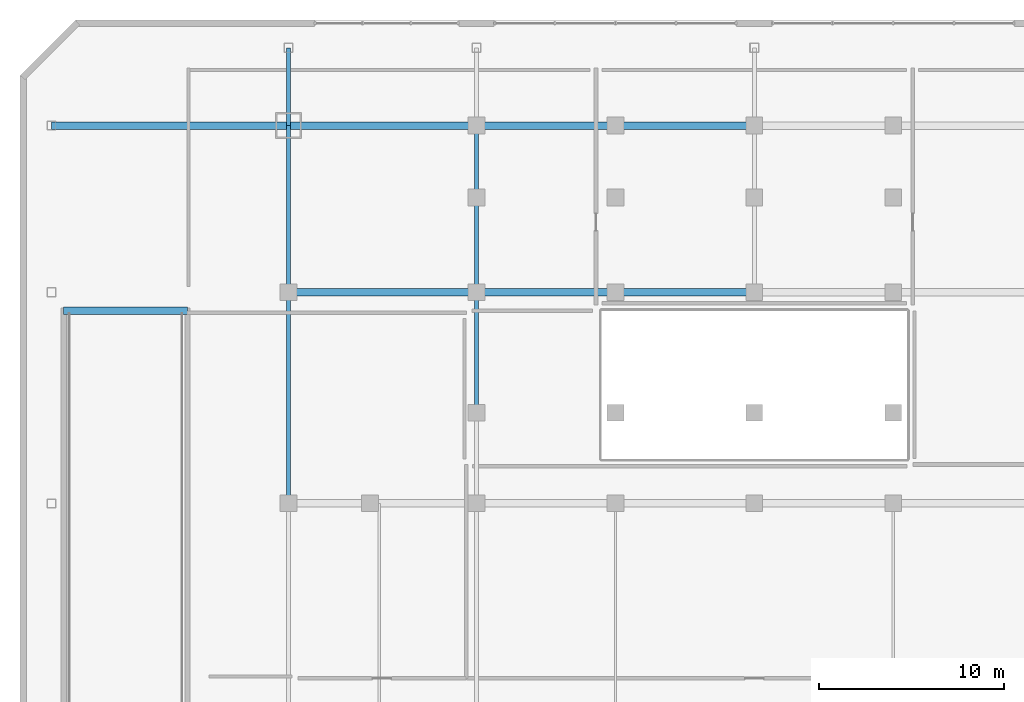
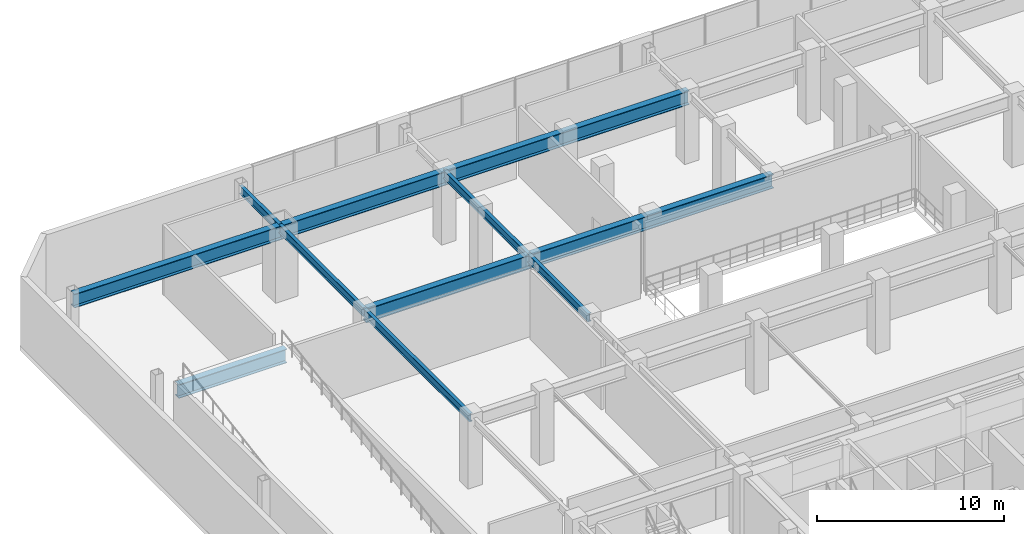
# One storey, part 3 of 16: 11 beams.
"""IFC4 building model written with IfcOpenShell, lengths in metres."""

from ifc_helpers import new_model, si_unit, direction, frame, origin, origin_2d, place, context, subcontext, project, spatial, i_section, extrude, material, material_profile, profile_set, type_object, element, save


model = new_model("IFC4")

# Units and contexts
model_context = context("Model", 3, precision=1e-05, world=origin(), true_north=direction((0.0, 1.0)))
body_context = subcontext(model_context, "Body", "Model", "MODEL_VIEW")
ifc_project = project(units=[si_unit("LENGTHUNIT", "METRE"), si_unit("AREAUNIT", "SQUARE_METRE"), si_unit("VOLUMEUNIT", "CUBIC_METRE"), si_unit("PLANEANGLEUNIT", "RADIAN"), si_unit("MASSUNIT", "GRAM", prefix="KILO")], contexts=[model_context])

# Site, building, storey
site_placement = place(None, origin())
site = spatial("IfcSite", under=ifc_project, at=site_placement, CompositionType="ELEMENT")
building_placement = place(site_placement, origin())
building = spatial("IfcBuilding", under=site, at=building_placement, Name="Ventersveld Concourse Tower", CompositionType="ELEMENT")
storey_placement = place(building_placement, frame((0.0, 0.0, 10.199951171875)))
storey = spatial("IfcBuildingStorey", under=building, at=storey_placement, Name="L02", CompositionType="ELEMENT", Elevation=10.199951171875)

# Beams
ifc_material = material(Name="Structural steel S355J2", Category="steel")
ifc_material_profile_1 = material_profile(ifc_material, i_section(OverallWidth=0.39990234375, OverallDepth=0.89990234375, WebThickness=0.02197265625, FlangeThickness=0.035888671875, at=origin_2d()), Name="PG 900x400x36")
ifc_profile_set_1 = profile_set([ifc_material_profile_1], Name="Structural steel S355J2")
beam_type_1 = type_object("IfcBeamType", Name="GRD-PG900", PredefinedType="USERDEFINED", material=ifc_profile_set_1)
beam_1_placement = place(storey_placement, frame((3.60009765625, 35.0, 4.070068359375), z_axis=(1.0, 0.0, 0.0), x_axis=(0.0, 1.0, 0.0)))
element("IfcBeam", 1, at=beam_1_placement, inside=storey, type_object=beam_type_1, Name="L02 Podium Primary Girder Y=35.0m", ObjectType="GIRDER", PredefinedType="USERDEFINED", context=body_context, shape_type="SweptSolid", body=[
    extrude(i_section(OverallWidth=0.39990234375, OverallDepth=0.89990234375, WebThickness=0.02197265625, FlangeThickness=0.035888671875, at=origin_2d()), origin(), (0.0, 0.0, 1.0), 10.14990234375),
])
beam_2_placement = place(storey_placement, frame((13.75, 35.0, 4.070068359375), z_axis=(1.0, 0.0, 0.0), x_axis=(0.0, 1.0, 0.0)))
element("IfcBeam", 2, at=beam_2_placement, inside=storey, type_object=beam_type_1, Name="L02 Podium Primary Girder Y=35.0m", ObjectType="GIRDER", PredefinedType="USERDEFINED", context=body_context, shape_type="SweptSolid", body=[
    extrude(i_section(OverallWidth=0.39990234375, OverallDepth=0.89990234375, WebThickness=0.02197265625, FlangeThickness=0.035888671875, at=origin_2d()), origin(), (0.0, 0.0, 1.0), 15.0),
])
beam_3_placement = place(storey_placement, frame((-9.199951171875, 44.0, 4.070068359375), z_axis=(1.0, 0.0, 0.0), x_axis=(0.0, 1.0, 0.0)))
element("IfcBeam", 3, at=beam_3_placement, inside=storey, type_object=beam_type_1, Name="L02 Podium Primary Girder Y=44.0m", ObjectType="GIRDER", PredefinedType="USERDEFINED", context=body_context, shape_type="SweptSolid", body=[
    extrude(i_section(OverallWidth=0.39990234375, OverallDepth=0.89990234375, WebThickness=0.02197265625, FlangeThickness=0.035888671875, at=origin_2d()), origin(), (0.0, 0.0, 1.0), 12.800048828125),
])
beam_4_placement = place(storey_placement, frame((3.60009765625, 44.0, 4.070068359375), z_axis=(1.0, 0.0, 0.0), x_axis=(0.0, 1.0, 0.0)))
element("IfcBeam", 4, at=beam_4_placement, inside=storey, type_object=beam_type_1, Name="L02 Podium Primary Girder Y=44.0m", ObjectType="GIRDER", PredefinedType="USERDEFINED", context=body_context, shape_type="SweptSolid", body=[
    extrude(i_section(OverallWidth=0.39990234375, OverallDepth=0.89990234375, WebThickness=0.02197265625, FlangeThickness=0.035888671875, at=origin_2d()), origin(), (0.0, 0.0, 1.0), 10.14990234375),
])
beam_5_placement = place(storey_placement, frame((13.75, 44.0, 4.070068359375), z_axis=(1.0, 0.0, 0.0), x_axis=(0.0, 1.0, 0.0)))
element("IfcBeam", 5, at=beam_5_placement, inside=storey, type_object=beam_type_1, Name="L02 Podium Primary Girder Y=44.0m", ObjectType="GIRDER", PredefinedType="USERDEFINED", context=body_context, shape_type="SweptSolid", body=[
    extrude(i_section(OverallWidth=0.39990234375, OverallDepth=0.89990234375, WebThickness=0.02197265625, FlangeThickness=0.035888671875, at=origin_2d()), origin(), (0.0, 0.0, 1.0), 15.0),
])
beam_6_placement = place(storey_placement, frame((-8.5400390625, 34.0, 4.0), z_axis=(1.0, 0.0, 0.0), x_axis=(0.0, 1.0, 0.0)))
element("IfcBeam", 6, at=beam_6_placement, inside=storey, type_object=beam_type_1, Name="L02-L03 Vehicle Ramp Head Landing Girder", ObjectType="GIRDER", PredefinedType="USERDEFINED", context=body_context, shape_type="SweptSolid", body=[
    extrude(i_section(OverallWidth=0.39990234375, OverallDepth=0.89990234375, WebThickness=0.02197265625, FlangeThickness=0.035888671875, at=origin_2d()), origin(), (0.0, 0.0, 1.0), 6.679931640625),
])
ifc_material_profile_2 = material_profile(ifc_material, i_section(OverallWidth=0.209228515625, OverallDepth=0.533203125, WebThickness=0.010009765625, FlangeThickness=0.015625, FilletRadius=0.0126953125, at=origin_2d()), Name="UB 533x210x92")
ifc_profile_set_2 = profile_set([ifc_material_profile_2], Name="Structural steel S355J2")
beam_type_2 = type_object("IfcBeamType", Name="GRD-UB533", PredefinedType="T_BEAM", material=ifc_profile_set_2)
beam_7_placement = place(storey_placement, frame((3.60009765625, 23.60009765625, 4.253662109375), z_axis=(0.0, 1.0, 0.0), x_axis=(-1.0, 0.0, 0.0)))
element("IfcBeam", 7, at=beam_7_placement, inside=storey, type_object=beam_type_2, Name="L02 Podium N-S Girder X=3.60m", PredefinedType="T_BEAM", context=body_context, shape_type="SweptSolid", body=[
    extrude(i_section(OverallWidth=0.209228515625, OverallDepth=0.533203125, WebThickness=0.010009765625, FlangeThickness=0.015625, FilletRadius=0.0126953125, at=origin_2d()), origin(), (0.0, 0.0, 1.0), 11.39990234375),
])
beam_8_placement = place(storey_placement, frame((3.60009765625, 35.0, 4.253662109375), z_axis=(0.0, 1.0, 0.0), x_axis=(-1.0, 0.0, 0.0)))
element("IfcBeam", 8, at=beam_8_placement, inside=storey, type_object=beam_type_2, Name="L02 Podium N-S Girder X=3.60m", PredefinedType="T_BEAM", context=body_context, shape_type="SweptSolid", body=[
    extrude(i_section(OverallWidth=0.209228515625, OverallDepth=0.533203125, WebThickness=0.010009765625, FlangeThickness=0.015625, FilletRadius=0.0126953125, at=origin_2d()), origin(), (0.0, 0.0, 1.0), 9.0),
])
beam_9_placement = place(storey_placement, frame((3.60009765625, 44.0, 4.253662109375), z_axis=(0.0, 1.0, 0.0), x_axis=(-1.0, 0.0, 0.0)))
element("IfcBeam", 9, at=beam_9_placement, inside=storey, type_object=beam_type_2, Name="L02 Podium N-S Girder X=3.60m", PredefinedType="T_BEAM", context=body_context, shape_type="SweptSolid", body=[
    extrude(i_section(OverallWidth=0.209228515625, OverallDepth=0.533203125, WebThickness=0.010009765625, FlangeThickness=0.015625, FilletRadius=0.0126953125, at=origin_2d()), origin(), (0.0, 0.0, 1.0), 4.199951171875),
])
beam_10_placement = place(storey_placement, frame((13.75, 28.5, 4.253662109375), z_axis=(0.0, 1.0, 0.0), x_axis=(-1.0, 0.0, 0.0)))
element("IfcBeam", 10, at=beam_10_placement, inside=storey, type_object=beam_type_2, Name="L02 Podium N-S Girder X=13.75m", PredefinedType="T_BEAM", context=body_context, shape_type="SweptSolid", body=[
    extrude(i_section(OverallWidth=0.209228515625, OverallDepth=0.533203125, WebThickness=0.010009765625, FlangeThickness=0.015625, FilletRadius=0.0126953125, at=origin_2d()), origin(), (0.0, 0.0, 1.0), 6.5),
])
beam_11_placement = place(storey_placement, frame((13.75, 35.0, 4.253662109375), z_axis=(0.0, 1.0, 0.0), x_axis=(-1.0, 0.0, 0.0)))
element("IfcBeam", 11, at=beam_11_placement, inside=storey, type_object=beam_type_2, Name="L02 Podium N-S Girder X=13.75m", PredefinedType="T_BEAM", context=body_context, shape_type="SweptSolid", body=[
    extrude(i_section(OverallWidth=0.209228515625, OverallDepth=0.533203125, WebThickness=0.010009765625, FlangeThickness=0.015625, FilletRadius=0.0126953125, at=origin_2d()), origin(), (0.0, 0.0, 1.0), 9.0),
])

save(model, "model.ifc")
